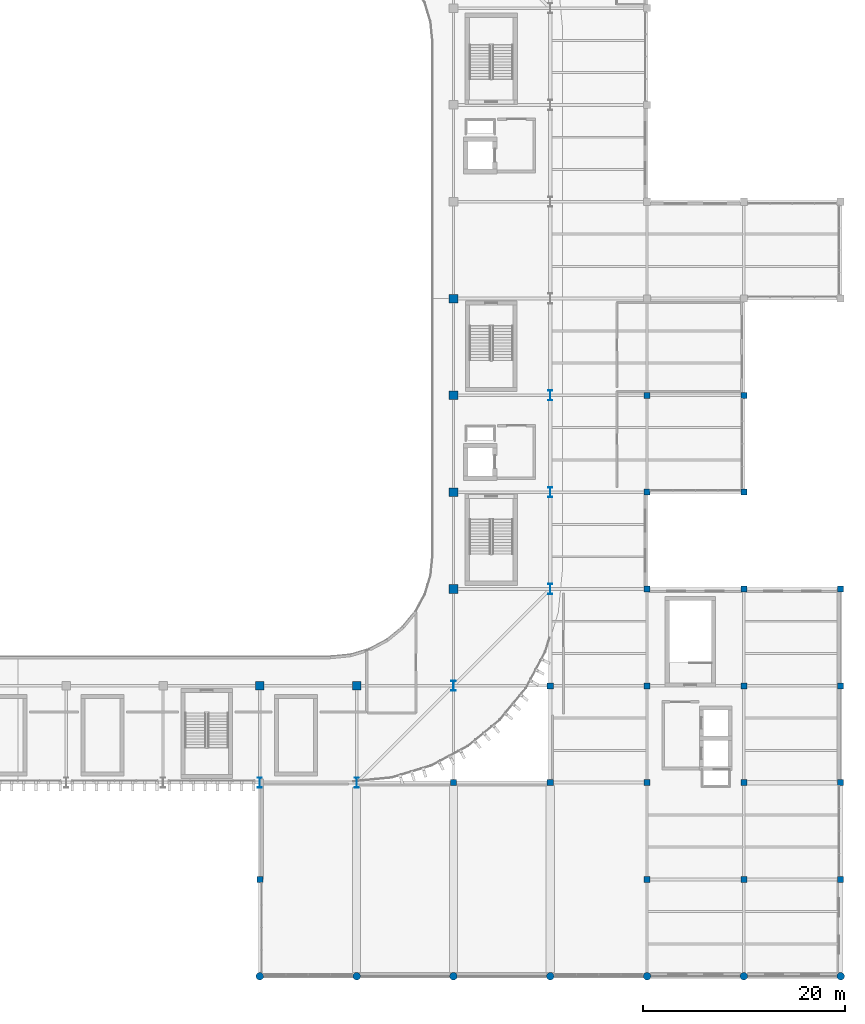
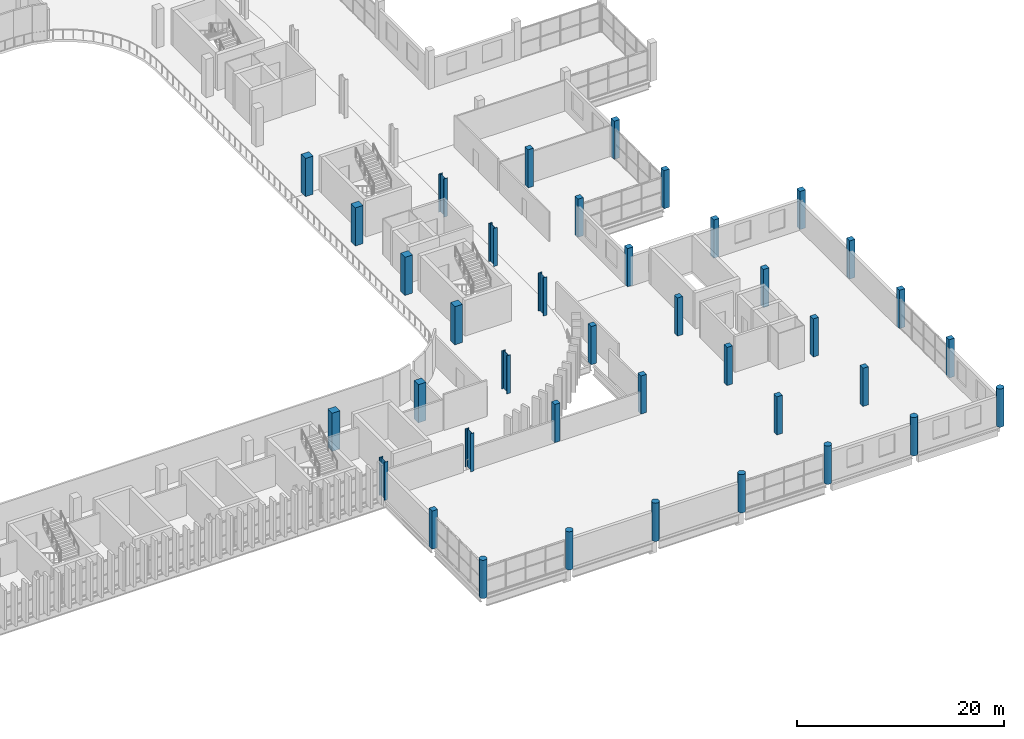
# One storey, part 3 of 92: 39 columns.
"""IFC4 building model written with IfcOpenShell, lengths in metres."""

import ifcopenshell
import ifcopenshell.guid

model = None  # the IFC model being written
_history = None  # IfcOwnerHistory: only IFC2X3 demands one
_inside = {}  # id of a spatial element -> (the spatial element, [elements in it])
_under = {}  # id of a project, library or spatial element -> (it, [spatial elements below it])
_declared = {}  # id of a project -> (the project, [libraries it declares])
_typed = {}  # id of a type object -> (the type object, [elements of that type])
_made_of = {}  # id of a material, layer set ... -> (it, [elements and type objects made of it])


def new_model(schema):
    """Start an empty IFC model of exactly this schema.

    Asked for "IFC4X3", IfcOpenShell would pick the latest addendum, in which some entities
    have other attributes; the version numbers below select the first issue.
    IFC2X3 requires an IfcOwnerHistory on every rooted entity: one is made here for all.
    """
    global model, _history
    if schema == "IFC4X3":
        model = ifcopenshell.file(schema_version=(4, 3, 0, 0))
    else:
        model = ifcopenshell.file(schema=schema)
    _inside.clear()
    _under.clear()
    _declared.clear()
    _typed.clear()
    _made_of.clear()
    _history = None
    if model.schema == "IFC2X3":
        org = make("IfcOrganization", Name="unknown")
        user = make(
            "IfcPersonAndOrganization",
            ThePerson=make("IfcPerson", FamilyName="unknown"),
            TheOrganization=org,
        )
        app = make(
            "IfcApplication",
            ApplicationDeveloper=org,
            Version="unknown",
            ApplicationFullName="unknown",
            ApplicationIdentifier="unknown",
        )
        _history = make(
            "IfcOwnerHistory",
            OwningUser=user,
            OwningApplication=app,
            ChangeAction="ADDED",
            CreationDate=0,
        )
    return model


def make(cls, **values):
    """One entity of the class cls with the attributes given. An attribute that is None is left unset."""
    return model.create_entity(
        cls, **{name: value for name, value in values.items() if value is not None}
    )


def rooted(cls, **values):
    """An entity with a GlobalId (a new one), such as an element, a storey or a relation."""
    return make(cls, GlobalId=ifcopenshell.guid.new(), OwnerHistory=_history, **values)


def si_unit(unit_type, name, prefix=None):
    """IfcSIUnit, for example si_unit("LENGTHUNIT", "METRE", prefix="MILLI")."""
    return make("IfcSIUnit", UnitType=unit_type, Prefix=prefix, Name=name)


def assignment(units):
    """IfcUnitAssignment: the units of a project."""
    return None if units is None else make("IfcUnitAssignment", Units=units)


def point(xyz):
    """IfcCartesianPoint."""
    return None if xyz is None else make("IfcCartesianPoint", Coordinates=xyz)


def direction(xyz):
    """IfcDirection."""
    return None if xyz is None else make("IfcDirection", DirectionRatios=xyz)


def frame(location, z_axis=None, x_axis=None):
    """IfcAxis2Placement3D, a coordinate frame: its origin and axes. An axis left out is left unset."""
    return make(
        "IfcAxis2Placement3D",
        Location=point(location),
        Axis=direction(z_axis),
        RefDirection=direction(x_axis),
    )


def frame_2d(location, x_axis=None):
    """IfcAxis2Placement2D, a coordinate frame in the plane: its origin and x axis."""
    return make(
        "IfcAxis2Placement2D", Location=point(location), RefDirection=direction(x_axis)
    )


def origin():
    """The frame at (0, 0, 0) with its axes left unset."""
    return frame((0.0, 0.0, 0.0))


def origin_2d():
    """The frame at (0, 0) in the plane with its x axis left unset."""
    return frame_2d((0.0, 0.0))


def place(relative_to, where):
    """IfcLocalPlacement: puts the frame where relative to a parent placement (None: the world)."""
    return make(
        "IfcLocalPlacement", PlacementRelTo=relative_to, RelativePlacement=where
    )


def context(
    kind, dimensions, precision=None, world=None, true_north=None, identifier=None
):
    """IfcGeometricRepresentationContext, for example the 3D "Model" context."""
    return make(
        "IfcGeometricRepresentationContext",
        ContextIdentifier=identifier,
        ContextType=kind,
        CoordinateSpaceDimension=dimensions,
        Precision=precision,
        WorldCoordinateSystem=world,
        TrueNorth=true_north,
    )


def subcontext(parent, identifier, kind, view, scale=None):
    """IfcGeometricRepresentationSubContext, for example "Body" below "Model"."""
    return make(
        "IfcGeometricRepresentationSubContext",
        ContextIdentifier=identifier,
        ContextType=kind,
        ParentContext=parent,
        TargetScale=scale,
        TargetView=view,
    )


def project(units=None, contexts=None):
    """IfcProject with its units and contexts."""
    return rooted(
        "IfcProject",
        Name="project",
        RepresentationContexts=contexts,
        UnitsInContext=assignment(units),
    )


def spatial(cls, under=None, at=None, **own):
    """A site, building, storey or space (cls), placed at a placement, below another one or the project."""
    s = rooted(cls, ObjectPlacement=at, **own)
    if under is not None:
        _under.setdefault(under.id(), (under, []))[1].append(s)
    return s


def profile(cls, at=None, kind="AREA", **sizes):
    """A parametric profile (cls). Its sizes go by their IFC names, for example OverallWidth=200.0."""
    return make(cls, ProfileType=kind, Position=at, **sizes)


def rectangle(**sizes):
    """IfcRectangleProfileDef."""
    return profile("IfcRectangleProfileDef", **sizes)


def circle(**sizes):
    """IfcCircleProfileDef."""
    return profile("IfcCircleProfileDef", **sizes)


def i_section(**sizes):
    """IfcIShapeProfileDef."""
    return profile("IfcIShapeProfileDef", **sizes)


def extrude(swept, where, along, depth):
    """IfcExtrudedAreaSolid: the profile swept, set in the frame where, extruded along a direction by depth."""
    return make(
        "IfcExtrudedAreaSolid",
        SweptArea=swept,
        Position=where,
        ExtrudedDirection=direction(along),
        Depth=depth,
    )


def shape(context_of_items, identifier, shape_type, items):
    """IfcShapeRepresentation: the items that make up one representation, for example the "Body"."""
    return make(
        "IfcShapeRepresentation",
        ContextOfItems=context_of_items,
        RepresentationIdentifier=identifier,
        RepresentationType=shape_type,
        Items=items,
    )


def material(Name=None, Category=None):
    """IfcMaterial."""
    return make("IfcMaterial", Name=Name, Category=Category)


def material_profile(
    of_material, cross_section, Name=None, Category=None, Priority=None
):
    """IfcMaterialProfile: a cross section and its material."""
    return make(
        "IfcMaterialProfile",
        Name=Name,
        Material=of_material,
        Profile=cross_section,
        Priority=Priority,
        Category=Category,
    )


def profile_set(profiles, Name=None, composite=None):
    """IfcMaterialProfileSet."""
    return make(
        "IfcMaterialProfileSet",
        Name=Name,
        MaterialProfiles=profiles,
        CompositeProfile=composite,
    )


def made_of(thing, what):
    """Note that an element or type object is made of a material, layer set ...; save() writes the relation."""
    if what is not None:
        _made_of.setdefault(what.id(), (what, []))[1].append(thing)
    return thing


def type_object(cls, material=None, **own):
    """A type object (cls), such as IfcWallType, which elements share."""
    return made_of(rooted(cls, **own), material)


def element(
    cls,
    number,
    at=None,
    inside=None,
    cuts=None,
    type_object=None,
    material=None,
    context=None,
    identifier="Body",
    shape_type=None,
    held_by="IfcProductDefinitionShape",
    body=None,
    shapes=None,
    **own,
):
    """One element of the class cls, such as IfcWall. Its Tag is "e" and its number.

    at: its placement. inside: the storey or other place that contains it. cuts: it is an
    opening in that element (IfcRelVoidsElement). A single representation is given by context,
    identifier, shape_type and body (its items); several are given by shapes. held_by: the class
    of the entity that holds the representations. save() writes the other relations.
    """
    e = rooted(cls, Tag="e%d" % number, ObjectPlacement=at, **own)
    if body is not None:
        shapes = [shape(context, identifier, shape_type, body)]
    if shapes is not None:
        e.Representation = make(held_by, Representations=shapes)
    if inside is not None:
        _inside.setdefault(inside.id(), (inside, []))[1].append(e)
    if cuts is not None:
        rooted(
            "IfcRelVoidsElement", RelatingBuildingElement=cuts, RelatedOpeningElement=e
        )
    if type_object is not None:
        _typed.setdefault(type_object.id(), (type_object, []))[1].append(e)
    return made_of(e, material)


def aggregate(whole, parts):
    """IfcRelAggregates: a whole, such as a stair, and the parts it consists of."""
    return rooted("IfcRelAggregates", RelatingObject=whole, RelatedObjects=parts)


def save(model, path):
    """Write the relations noted so far, then the file.

    IfcRelAggregates (storeys below a building ...), IfcRelContainedInSpatialStructure (elements
    in a storey), IfcRelDefinesByType, IfcRelAssociatesMaterial and IfcRelDeclares: one each for
    every whole, place, type object, material and project.
    """
    for whole, parts in _under.values():
        aggregate(whole, parts)
    for where, things in _inside.values():
        rooted(
            "IfcRelContainedInSpatialStructure",
            RelatedElements=things,
            RelatingStructure=where,
        )
    for kind, things in _typed.values():
        rooted("IfcRelDefinesByType", RelatedObjects=things, RelatingType=kind)
    for what, things in _made_of.values():
        rooted("IfcRelAssociatesMaterial", RelatedObjects=things, RelatingMaterial=what)
    for by, libraries in _declared.values():
        rooted("IfcRelDeclares", RelatingContext=by, RelatedDefinitions=libraries)
    model.write(path)


model = new_model("IFC4")

# Units and contexts
model_context = context("Model", 3, precision=1e-05, world=origin(), true_north=direction((0.0, 1.0)))
body_context = subcontext(model_context, "Body", "Model", "MODEL_VIEW")
ifc_project = project(units=[si_unit("LENGTHUNIT", "METRE"), si_unit("AREAUNIT", "SQUARE_METRE"), si_unit("VOLUMEUNIT", "CUBIC_METRE"), si_unit("PLANEANGLEUNIT", "RADIAN"), si_unit("MASSUNIT", "GRAM", prefix="KILO")], contexts=[model_context])

# Site, building, storey
site_placement = place(None, origin())
site = spatial("IfcSite", under=ifc_project, at=site_placement, CompositionType="ELEMENT")
building_placement = place(site_placement, origin())
building = spatial("IfcBuilding", under=site, at=building_placement, Name="Caelomonte Colonnade Arena", CompositionType="ELEMENT")
storey_placement = place(building_placement, frame((0.0, 0.0, 9.60009765625)))
storey = spatial("IfcBuildingStorey", under=building, at=storey_placement, Name="L02", CompositionType="ELEMENT", Elevation=9.60009765625)

# Columns
ifc_material_1 = material(Name="Concrete C40/50", Category="concrete")
ifc_material_profile_1 = material_profile(ifc_material_1, rectangle(XDim=0.60009765625, YDim=0.60009765625, at=origin_2d()), Name="RC600X600")
ifc_profile_set_1 = profile_set([ifc_material_profile_1], Name="Concrete C40/50")
column_type_1 = type_object("IfcColumnType", Name="STR-COL-RC06", PredefinedType="COLUMN", material=ifc_profile_set_1)
for number, where, z_axis, x_axis, name in (
    (1, (134.39990234375, 9.60009765625, 0.0), (0.0, 0.0, 1.0), (1.0, 0.0, 0.0), "L02 column (134.4, 9.6)"),
    (2, (153.60009765625, 19.199951171875, 0.0), (0.0, 0.0, 1.0), (1.0, 0.0, 0.0), "L02 column (153.6, 19.2)"),
    (3, (163.199951171875, 19.199951171875, 0.0), (0.0, 0.0, 1.0), (1.0, 0.0, 0.0), "L02 column (163.2, 19.2)"),
    (4, (163.199951171875, 28.800048828125, 0.0), (0.0, 0.0, 1.0), (1.0, 0.0, 0.0), "L02 column (163.2, 28.8)"),
    (5, (172.800048828125, 9.60009765625, 0.0), (0.0, 0.0, 1.0), (1.0, 0.0, 0.0), "L02 column (172.8, 9.6)"),
    (6, (172.800048828125, 19.199951171875, 0.0), (0.0, 0.0, 1.0), (1.0, 0.0, 0.0), "L02 column (172.8, 19.2)"),
    (7, (172.800048828125, 28.800048828125, 0.0), (0.0, 0.0, 1.0), (1.0, 0.0, 0.0), "L02 column (172.8, 28.8)"),
    (8, (172.800048828125, 38.39990234375, 0.0), (0.0, 0.0, 1.0), (1.0, 0.0, 0.0), "L02 column (172.8, 38.4)"),
    (9, (172.800048828125, 48.0, 0.0), (0.0, 0.0, 1.0), (1.0, 0.0, 0.0), "L02 column (172.8, 48.0)"),
    (10, (172.800048828125, 57.60009765625, 0.0), (0.0, 0.0, 1.0), (1.0, 0.0, 0.0), "L02 column (172.8, 57.6)"),
    (11, (182.39990234375, 9.60009765625, 0.0), (0.0, 0.0, 1.0), (1.0, 0.0, 0.0), "L02 column (182.4, 9.6)"),
    (12, (182.39990234375, 19.199951171875, 0.0), (0.0, 0.0, 1.0), (1.0, 0.0, 0.0), "L02 column (182.4, 19.2)"),
    (13, (182.39990234375, 28.800048828125, 0.0), (0.0, 0.0, 1.0), (1.0, 0.0, 0.0), "L02 column (182.4, 28.8)"),
    (14, (182.39990234375, 38.39990234375, 0.0), (0.0, 0.0, 1.0), (1.0, 0.0, 0.0), "L02 column (182.4, 38.4)"),
    (15, (182.39990234375, 48.0, 0.0), (0.0, 0.0, 1.0), (1.0, 0.0, 0.0), "L02 column (182.4, 48.0)"),
    (16, (182.39990234375, 57.60009765625, 0.0), (0.0, 0.0, 1.0), (1.0, 0.0, 0.0), "L02 column (182.4, 57.6)"),
    (17, (192.0, 9.60009765625, 0.0), (0.0, 0.0, 1.0), (1.0, 0.0, 0.0), "L02 column (192.0, 9.6)"),
    (18, (192.0, 19.199951171875, 0.0), (0.0, 0.0, 1.0), (1.0, 0.0, 0.0), "L02 column (192.0, 19.2)"),
    (19, (192.0, 28.800048828125, 0.0), (0.0, 0.0, 1.0), (1.0, 0.0, 0.0), "L02 column (192.0, 28.8)"),
    (20, (192.0, 38.39990234375, 0.0), (0.0, 0.0, 1.0), (1.0, 0.0, 0.0), "L02 column (192.0, 38.4)"),
):
    element("IfcColumn", number, at=place(storey_placement, frame(where, z_axis=z_axis, x_axis=x_axis)), inside=storey, type_object=column_type_1, Name=name, PredefinedType="COLUMN", context=body_context, shape_type="SweptSolid", body=[
        extrude(rectangle(XDim=0.60009765625, YDim=0.60009765625, at=origin_2d()), origin(), (0.0, 0.0, 1.0), 4.5),
    ])
ifc_material_2 = material(Name="Concrete C50/60", Category="concrete")
ifc_material_profile_2 = material_profile(ifc_material_2, rectangle(XDim=0.85009765625, YDim=0.85009765625, at=origin_2d()), Name="RC850X850")
ifc_profile_set_2 = profile_set([ifc_material_profile_2], Name="Concrete C50/60")
column_type_2 = type_object("IfcColumnType", Name="STR-COL-RC85", PredefinedType="COLUMN", material=ifc_profile_set_2)
for number, where, z_axis, x_axis, name in (
    (21, (134.39990234375, 28.800048828125, 0.0), (0.0, 0.0, 1.0), (1.0, 0.0, 0.0), "L02 column (134.4, 28.8)"),
    (22, (144.0, 28.800048828125, 0.0), (0.0, 0.0, 1.0), (1.0, 0.0, 0.0), "L02 column (144.0, 28.8)"),
    (23, (153.60009765625, 38.39990234375, 0.0), (0.0, 0.0, 1.0), (1.0, 0.0, 0.0), "L02 column (153.6, 38.4)"),
    (24, (153.60009765625, 48.0, 0.0), (0.0, 0.0, 1.0), (1.0, 0.0, 0.0), "L02 column (153.6, 48.0)"),
    (25, (153.60009765625, 57.60009765625, 0.0), (0.0, 0.0, 1.0), (1.0, 0.0, 0.0), "L02 column (153.6, 57.6)"),
    (26, (153.60009765625, 67.199951171875, 0.0), (0.0, 0.0, 1.0), (1.0, 0.0, 0.0), "L02 column (153.6, 67.2)"),
):
    element("IfcColumn", number, at=place(storey_placement, frame(where, z_axis=z_axis, x_axis=x_axis)), inside=storey, type_object=column_type_2, Name=name, PredefinedType="COLUMN", context=body_context, shape_type="SweptSolid", body=[
        extrude(rectangle(XDim=0.85009765625, YDim=0.85009765625, at=origin_2d()), origin(), (0.0, 0.0, 1.0), 4.5),
    ])
ifc_material_3 = material(Name="Wide-flange steel ASTM A992 Grade 50", Category="steel")
ifc_material_profile_3 = material_profile(ifc_material_3, i_section(OverallWidth=0.419189453125, OverallDepth=1.010986328125, WebThickness=0.023681640625, FlangeThickness=0.0419921875, FilletRadius=0.030517578125, at=origin_2d()), Name="W40X297")
ifc_profile_set_3 = profile_set([ifc_material_profile_3], Name="Wide-flange steel ASTM A992 Grade 50")
column_type_3 = type_object("IfcColumnType", Name="STR-COL-W40B", PredefinedType="COLUMN", material=ifc_profile_set_3)
for number, where, z_axis, x_axis, name in (
    (27, (134.39990234375, 19.199951171875, 0.0), (0.0, 0.0, 1.0), (1.0, 0.0, 0.0), "L02 column (134.4, 19.2)"),
    (28, (144.0, 19.199951171875, 0.0), (0.0, 0.0, 1.0), (1.0, 0.0, 0.0), "L02 column (144.0, 19.2)"),
    (29, (153.60009765625, 28.800048828125, 0.0), (0.0, 0.0, 1.0), (1.0, 0.0, 0.0), "L02 column (153.6, 28.8)"),
    (30, (163.199951171875, 38.39990234375, 0.0), (0.0, 0.0, 1.0), (1.0, 0.0, 0.0), "L02 column (163.2, 38.4)"),
    (31, (163.199951171875, 48.0, 0.0), (0.0, 0.0, 1.0), (1.0, 0.0, 0.0), "L02 column (163.2, 48.0)"),
    (32, (163.199951171875, 57.60009765625, 0.0), (0.0, 0.0, 1.0), (1.0, 0.0, 0.0), "L02 column (163.2, 57.6)"),
):
    element("IfcColumn", number, at=place(storey_placement, frame(where, z_axis=z_axis, x_axis=x_axis)), inside=storey, type_object=column_type_3, Name=name, PredefinedType="COLUMN", context=body_context, shape_type="SweptSolid", body=[
        extrude(i_section(OverallWidth=0.419189453125, OverallDepth=1.010986328125, WebThickness=0.023681640625, FlangeThickness=0.0419921875, FilletRadius=0.030517578125, at=origin_2d()), origin(), (0.0, 0.0, 1.0), 4.5),
    ])
ifc_material_profile_4 = material_profile(ifc_material_1, circle(Radius=0.375, at=origin_2d()), Name="RC-COL750")
ifc_profile_set_4 = profile_set([ifc_material_profile_4], Name="Concrete C40/50")
column_type_4 = type_object("IfcColumnType", Name="STR-PIL-C750", PredefinedType="PILASTER", material=ifc_profile_set_4)
for number, where, z_axis, x_axis, name in (
    (33, (134.39990234375, 0.0, 0.0), (0.0, 0.0, 1.0), (1.0, 0.0, 0.0), "L02 column (134.4, 0.0)"),
    (34, (144.0, 0.0, 0.0), (0.0, 0.0, 1.0), (1.0, 0.0, 0.0), "L02 column (144.0, 0.0)"),
    (35, (153.60009765625, 0.0, 0.0), (0.0, 0.0, 1.0), (1.0, 0.0, 0.0), "L02 column (153.6, 0.0)"),
    (36, (163.199951171875, 0.0, 0.0), (0.0, 0.0, 1.0), (1.0, 0.0, 0.0), "L02 column (163.2, 0.0)"),
    (37, (172.800048828125, 0.0, 0.0), (0.0, 0.0, 1.0), (1.0, 0.0, 0.0), "L02 column (172.8, 0.0)"),
    (38, (182.39990234375, 0.0, 0.0), (0.0, 0.0, 1.0), (1.0, 0.0, 0.0), "L02 column (182.4, 0.0)"),
    (39, (192.0, 0.0, 0.0), (0.0, 0.0, 1.0), (1.0, 0.0, 0.0), "L02 column (192.0, 0.0)"),
):
    element("IfcColumn", number, at=place(storey_placement, frame(where, z_axis=z_axis, x_axis=x_axis)), inside=storey, type_object=column_type_4, Name=name, PredefinedType="PILASTER", context=body_context, shape_type="SweptSolid", body=[
        extrude(circle(Radius=0.375, at=origin_2d()), origin(), (0.0, 0.0, 1.0), 4.5),
    ])

save(model, "model.ifc")
